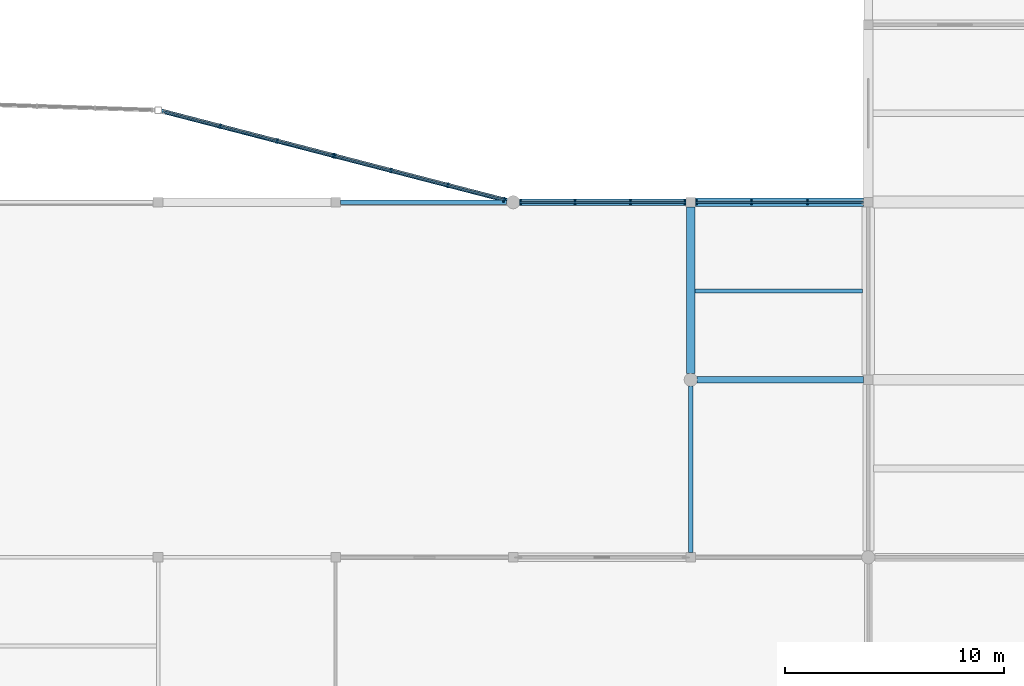
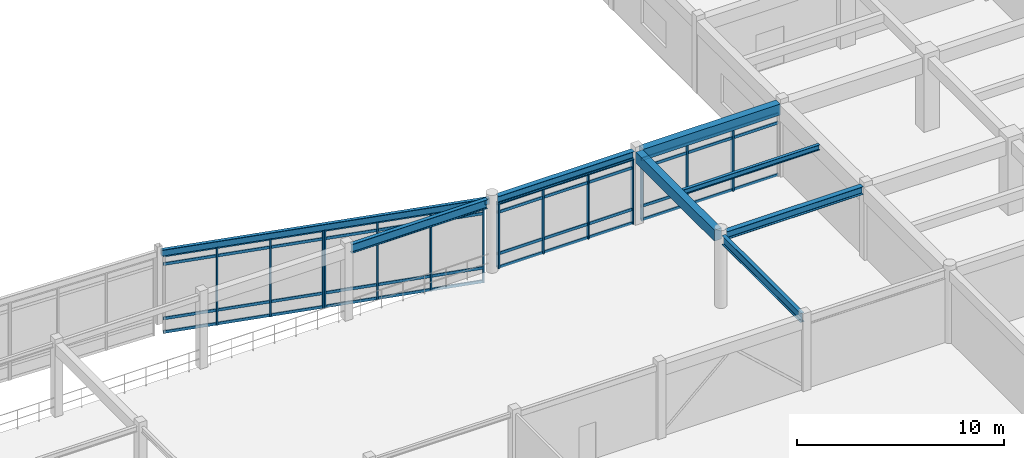
# One storey, part 26 of 93: 30 members, 8 beams, 4 elements without a shape of their own.
"""IFC4 building model written with IfcOpenShell, lengths in metres."""

from ifc_helpers import new_model, si_unit, direction, frame, origin, origin_2d, place, context, subcontext, project, spatial, rectangle, hollow_rectangle, i_section, extrude, material, layer, layer_set, material_profile, profile_set, type_object, element, aggregate, save


model = new_model("IFC4")

# Units and contexts
model_context = context("Model", 3, precision=1e-05, world=origin(), true_north=direction((0.0, 1.0)))
body_context = subcontext(model_context, "Body", "Model", "MODEL_VIEW")
ifc_project = project(units=[si_unit("LENGTHUNIT", "METRE"), si_unit("AREAUNIT", "SQUARE_METRE"), si_unit("VOLUMEUNIT", "CUBIC_METRE"), si_unit("PLANEANGLEUNIT", "RADIAN"), si_unit("MASSUNIT", "GRAM", prefix="KILO")], contexts=[model_context])

# Site, building, storey
site_placement = place(None, origin())
site = spatial("IfcSite", under=ifc_project, at=site_placement, CompositionType="ELEMENT")
building_placement = place(site_placement, origin())
building = spatial("IfcBuilding", under=site, at=building_placement, Name="Vaudrelin Polytechnic", CompositionType="ELEMENT")
storey_placement = place(building_placement, frame((0.0, 0.0, 5.10009765625)))
storey = spatial("IfcBuildingStorey", under=building, at=storey_placement, Name="L01", CompositionType="ELEMENT", Elevation=5.10009765625)

# Beams
ifc_material_1 = material(Name="Steel CSA G40.21 350W", Category="steel")
ifc_material_profile_1 = material_profile(ifc_material_1, i_section(OverallWidth=0.280029296875, OverallDepth=0.462890625, WebThickness=0.0107421875, FlangeThickness=0.017333984375, FilletRadius=0.01806640625, at=origin_2d()), Name="W460x113")
ifc_profile_set_1 = profile_set([ifc_material_profile_1], Name="Steel CSA G40.21 350W")
beam_type_1 = type_object("IfcBeamType", Name="BM-BM-W460H", PredefinedType="BEAM", material=ifc_profile_set_1)
for number, where, z_axis, x_axis, name in (
    (1, (113.696044921875, 48.60009765625, 4.078369140625), (1.0, 0.0, 0.0), (0.0, 1.0, 0.0), "L01 X-beam 15-7"),
    (2, (121.7958984375, 40.5, 4.078369140625), (1.0, 0.0, 0.0), (0.0, 1.0, 0.0), "L01 X-beam 16-6"),
):
    element("IfcBeam", number, at=place(storey_placement, frame(where, z_axis=z_axis, x_axis=x_axis)), inside=storey, type_object=beam_type_1, Name=name, PredefinedType="BEAM", context=body_context, shape_type="SweptSolid", body=[
        extrude(i_section(OverallWidth=0.280029296875, OverallDepth=0.462890625, WebThickness=0.0107421875, FlangeThickness=0.017333984375, FilletRadius=0.01806640625, at=origin_2d()), origin(), (0.0, 0.0, 1.0), 7.5830078125),
    ])
ifc_material_profile_2 = material_profile(ifc_material_1, i_section(OverallWidth=0.208984375, OverallDepth=0.532958984375, WebThickness=0.01025390625, FlangeThickness=0.015625, FilletRadius=0.01904296875, at=origin_2d()), Name="W530x92")
ifc_profile_set_2 = profile_set([ifc_material_profile_2], Name="Steel CSA G40.21 350W")
beam_type_2 = type_object("IfcBeamType", Name="BM-BM-W530", PredefinedType="BEAM", material=ifc_profile_set_2)
beam_1_placement = place(storey_placement, frame((121.5, 32.610107421875, 4.04345703125), z_axis=(0.0, 1.0, 0.0), x_axis=(-1.0, 0.0, 0.0)))
element("IfcBeam", 3, at=beam_1_placement, inside=storey, type_object=beam_type_2, Name="L01 Y-beam 16-5", PredefinedType="BEAM", context=body_context, shape_type="SweptSolid", body=[
    extrude(i_section(OverallWidth=0.208984375, OverallDepth=0.532958984375, WebThickness=0.01025390625, FlangeThickness=0.015625, FilletRadius=0.01904296875, at=origin_2d()), origin(), (0.0, 0.0, 1.0), 7.60498046875),
])
beam_2_placement = place(storey_placement, frame((105.52099609375, 48.60009765625, 4.04345703125), z_axis=(1.0, 0.0, 0.0), x_axis=(0.0, 1.0, 0.0)))
element("IfcBeam", 4, at=beam_2_placement, inside=storey, type_object=beam_type_2, Name="L01 X-beam 14-7", PredefinedType="BEAM", context=body_context, shape_type="SweptSolid", body=[
    extrude(i_section(OverallWidth=0.208984375, OverallDepth=0.532958984375, WebThickness=0.01025390625, FlangeThickness=0.015625, FilletRadius=0.01904296875, at=origin_2d()), origin(), (0.0, 0.0, 1.0), 7.5830078125),
])
ifc_material_profile_3 = material_profile(ifc_material_1, i_section(OverallWidth=0.1669921875, OverallDepth=0.31689453125, WebThickness=0.007568359375, FlangeThickness=0.01318359375, FilletRadius=0.013916015625, at=origin_2d()), Name="W310x52")
ifc_profile_set_3 = profile_set([ifc_material_profile_3], Name="Steel CSA G40.21 350W")
beam_type_3 = type_object("IfcBeamType", Name="BM-JS-W310", PredefinedType="JOIST", material=ifc_profile_set_3)
beam_3_placement = place(storey_placement, frame((121.696044921875, 44.550048828125, 4.1513671875), z_axis=(1.0, 0.0, 0.0), x_axis=(0.0, 1.0, 0.0)))
element("IfcBeam", 5, at=beam_3_placement, inside=storey, type_object=beam_type_3, Name="L01 floor joist 16-6", PredefinedType="JOIST", context=body_context, shape_type="SweptSolid", body=[
    extrude(i_section(OverallWidth=0.1669921875, OverallDepth=0.31689453125, WebThickness=0.007568359375, FlangeThickness=0.01318359375, FilletRadius=0.013916015625, at=origin_2d()), origin(), (0.0, 0.0, 1.0), 7.633056640625),
])
ifc_material_2 = material(Name="Steel CSA G40.21 350WT", Category="steel")
ifc_material_profile_4 = material_profile(ifc_material_2, hollow_rectangle(XDim=0.202880859375, YDim=0.35595703125, WallThickness=0.0126953125, InnerFilletRadius=0.0126953125, OuterFilletRadius=0.025390625, at=origin_2d()), Name="HSS356x203x12.7")
ifc_profile_set_4 = profile_set([ifc_material_profile_4], Name="Steel CSA G40.21 350WT")
beam_type_4 = type_object("IfcBeamType", Name="BM-SP-HSS35", PredefinedType="SPANDREL", material=ifc_profile_set_4)
beam_4_placement = place(storey_placement, frame((97.33544921875, 52.764892578125, 4.1318359375), z_axis=(0.96799462882, -0.250970911811, 0.0), x_axis=(0.250970911811, 0.96799462882, 0.0)))
element("IfcBeam", 6, at=beam_4_placement, inside=storey, type_object=beam_type_4, Name="Sculptural edge beam L01 CT_OR1_B3", PredefinedType="SPANDREL", context=body_context, shape_type="SweptSolid", body=[
    extrude(hollow_rectangle(XDim=0.202880859375, YDim=0.35595703125, WallThickness=0.0126953125, InnerFilletRadius=0.0126953125, OuterFilletRadius=0.025390625, at=origin_2d()), origin(), (0.0, 0.0, 1.0), 16.45556640625),
])
ifc_material_3 = material(Name="Concrete 40 MPa", Category="concrete")
ifc_material_profile_5 = material_profile(ifc_material_3, rectangle(XDim=0.39990234375, YDim=0.64990234375, at=origin_2d()), Name="RC400x650")
ifc_profile_set_5 = profile_set([ifc_material_profile_5], Name="Concrete 40 MPa")
beam_type_5 = type_object("IfcBeamType", Name="BM-SP-RC4065", PredefinedType="SPANDREL", material=ifc_profile_set_5)
beam_5_placement = place(storey_placement, frame((121.5, 40.784912109375, 3.98486328125), z_axis=(0.0, 1.0, 0.0), x_axis=(-1.0, 0.0, 0.0)))
element("IfcBeam", 7, at=beam_5_placement, inside=storey, type_object=beam_type_5, Name="L01 Y-beam 16-6", PredefinedType="SPANDREL", context=body_context, shape_type="SweptSolid", body=[
    extrude(rectangle(XDim=0.39990234375, YDim=0.64990234375, at=origin_2d()), origin(), (0.0, 0.0, 1.0), 7.60498046875),
])
beam_6_placement = place(storey_placement, frame((121.720947265625, 48.60009765625, 3.98486328125), z_axis=(1.0, 0.0, 0.0), x_axis=(0.0, 1.0, 0.0)))
element("IfcBeam", 8, at=beam_6_placement, inside=storey, type_object=beam_type_5, Name="L01 X-beam 16-7", PredefinedType="SPANDREL", context=body_context, shape_type="SweptSolid", body=[
    extrude(rectangle(XDim=0.39990234375, YDim=0.64990234375, at=origin_2d()), origin(), (0.0, 0.0, 1.0), 7.657958984375),
])

# Curtain wall, members
ifc_material_4 = material(Name="Thermally broken anodised aluminium AA 6063-T6 and low-e triple glazing", Category="aluminium")
ifc_layer = layer(ifc_material_4, 0.199951171875)
ifc_layer_set = layer_set([ifc_layer], Name="Thermally broken anodised aluminium AA 6063-T6 and low-e triple glazing")
curtain_wall_type = type_object("IfcCurtainWallType", Name="CW-CW-WG", PredefinedType="USERDEFINED", material=ifc_layer_set)
curtain_wall_1_placement = place(storey_placement, origin())
curtain_wall_1 = element("IfcCurtainWall", 9, at=curtain_wall_1_placement, inside=storey, type_object=curtain_wall_type, Name="Curtain wall L01 CT_S_10", ObjectType="CURTAIN WALL", PredefinedType="USERDEFINED")
ifc_material_5 = material(Name="Anodised aluminium AA 6063-T6", Category="aluminium")
ifc_material_profile_6 = material_profile(ifc_material_5, rectangle(XDim=0.074951171875, YDim=0.219970703125, at=origin_2d()), Name="CWM-75x220")
ifc_profile_set_6 = profile_set([ifc_material_profile_6], Name="Anodised aluminium AA 6063-T6")
member_type_1 = type_object("IfcMemberType", Name="MEM-CWM-220", PredefinedType="MULLION", material=ifc_profile_set_6)
member_1_placement = place(storey_placement, frame((113.738037109375, 48.60009765625, 0.0), z_axis=(0.0, 0.0, 1.0), x_axis=(1.0, 0.0, 0.0)))
member_1 = element("IfcMember", 10, at=member_1_placement, type_object=member_type_1, Name="CT_S_10 mullion 1", PredefinedType="MULLION", context=body_context, shape_type="SweptSolid", body=[
    extrude(rectangle(XDim=0.074951171875, YDim=0.219970703125, at=origin_2d()), origin(), (0.0, 0.0, 1.0), 3.848876953125),
])
member_2_placement = place(storey_placement, frame((116.224365234375, 48.60009765625, 0.0), z_axis=(0.0, 0.0, 1.0), x_axis=(1.0, 0.0, 0.0)))
member_2 = element("IfcMember", 11, at=member_2_placement, type_object=member_type_1, Name="CT_S_10 mullion 2", PredefinedType="MULLION", context=body_context, shape_type="SweptSolid", body=[
    extrude(rectangle(XDim=0.074951171875, YDim=0.219970703125, at=origin_2d()), origin(), (0.0, 0.0, 1.0), 3.848876953125),
])
member_3_placement = place(storey_placement, frame((118.750732421875, 48.60009765625, 0.0), z_axis=(0.0, 0.0, 1.0), x_axis=(1.0, 0.0, 0.0)))
member_3 = element("IfcMember", 12, at=member_3_placement, type_object=member_type_1, Name="CT_S_10 mullion 3", PredefinedType="MULLION", context=body_context, shape_type="SweptSolid", body=[
    extrude(rectangle(XDim=0.074951171875, YDim=0.219970703125, at=origin_2d()), origin(), (0.0, 0.0, 1.0), 3.848876953125),
])
member_4_placement = place(storey_placement, frame((121.237060546875, 48.60009765625, 0.0), z_axis=(0.0, 0.0, 1.0), x_axis=(1.0, 0.0, 0.0)))
member_4 = element("IfcMember", 13, at=member_4_placement, type_object=member_type_1, Name="CT_S_10 mullion 4", PredefinedType="MULLION", context=body_context, shape_type="SweptSolid", body=[
    extrude(rectangle(XDim=0.074951171875, YDim=0.219970703125, at=origin_2d()), origin(), (0.0, 0.0, 1.0), 3.848876953125),
])

curtain_wall_2_placement = place(storey_placement, origin())
curtain_wall_2 = element("IfcCurtainWall", 14, at=curtain_wall_2_placement, inside=storey, type_object=curtain_wall_type, Name="Curtain wall L01 CT_S_11", ObjectType="CURTAIN WALL", PredefinedType="USERDEFINED")
member_5_placement = place(storey_placement, frame((121.762939453125, 48.60009765625, 0.0), z_axis=(0.0, 0.0, 1.0), x_axis=(1.0, 0.0, 0.0)))
member_5 = element("IfcMember", 15, at=member_5_placement, type_object=member_type_1, Name="CT_S_11 mullion 1", PredefinedType="MULLION", context=body_context, shape_type="SweptSolid", body=[
    extrude(rectangle(XDim=0.074951171875, YDim=0.219970703125, at=origin_2d()), origin(), (0.0, 0.0, 1.0), 3.661865234375),
])
member_6_placement = place(storey_placement, frame((124.2744140625, 48.60009765625, 0.0), z_axis=(0.0, 0.0, 1.0), x_axis=(1.0, 0.0, 0.0)))
member_6 = element("IfcMember", 16, at=member_6_placement, type_object=member_type_1, Name="CT_S_11 mullion 2", PredefinedType="MULLION", context=body_context, shape_type="SweptSolid", body=[
    extrude(rectangle(XDim=0.074951171875, YDim=0.219970703125, at=origin_2d()), origin(), (0.0, 0.0, 1.0), 3.661865234375),
])
member_7_placement = place(storey_placement, frame((126.82568359375, 48.60009765625, 0.0), z_axis=(0.0, 0.0, 1.0), x_axis=(1.0, 0.0, 0.0)))
member_7 = element("IfcMember", 17, at=member_7_placement, type_object=member_type_1, Name="CT_S_11 mullion 3", PredefinedType="MULLION", context=body_context, shape_type="SweptSolid", body=[
    extrude(rectangle(XDim=0.074951171875, YDim=0.219970703125, at=origin_2d()), origin(), (0.0, 0.0, 1.0), 3.661865234375),
])

curtain_wall_3_placement = place(storey_placement, origin())
curtain_wall_3 = element("IfcCurtainWall", 18, at=curtain_wall_3_placement, inside=storey, type_object=curtain_wall_type, Name="Curtain wall L01 CT_OR1_3_0", ObjectType="CURTAIN WALL", PredefinedType="USERDEFINED")
member_8_placement = place(storey_placement, frame((100.031982421875, 52.06591796875, -0.630126953125), z_axis=(0.0, 0.0, 1.0), x_axis=(0.967996674598, -0.250963021115, 0.0)))
member_8 = element("IfcMember", 19, at=member_8_placement, type_object=member_type_1, Name="CT_OR1_3_0 mullion 2", PredefinedType="MULLION", context=body_context, shape_type="SweptSolid", body=[
    extrude(rectangle(XDim=0.074951171875, YDim=0.219970703125, at=origin_2d()), origin(), (0.0, 0.0, 1.0), 4.610107421875),
])
member_9_placement = place(storey_placement, frame((102.629150390625, 51.392333984375, -0.630126953125), z_axis=(0.0, 0.0, 1.0), x_axis=(0.967996674598, -0.250963021115, 0.0)))
member_9 = element("IfcMember", 20, at=member_9_placement, type_object=member_type_1, Name="CT_OR1_3_0 mullion 3", PredefinedType="MULLION", context=body_context, shape_type="SweptSolid", body=[
    extrude(rectangle(XDim=0.074951171875, YDim=0.219970703125, at=origin_2d()), origin(), (0.0, 0.0, 1.0), 4.610107421875),
])
member_10_placement = place(storey_placement, frame((105.1875, 50.72900390625, -0.630126953125), z_axis=(0.0, 0.0, 1.0), x_axis=(0.967996674598, -0.250963021115, 0.0)))
member_10 = element("IfcMember", 21, at=member_10_placement, type_object=member_type_1, Name="CT_OR1_3_0 mullion 4", PredefinedType="MULLION", context=body_context, shape_type="SweptSolid", body=[
    extrude(rectangle(XDim=0.074951171875, YDim=0.219970703125, at=origin_2d()), origin(), (0.0, 0.0, 1.0), 4.610107421875),
])

curtain_wall_4_placement = place(storey_placement, origin())
curtain_wall_4 = element("IfcCurtainWall", 22, at=curtain_wall_4_placement, inside=storey, type_object=curtain_wall_type, Name="Curtain wall L01 CT_OR1_3_1", ObjectType="CURTAIN WALL", PredefinedType="USERDEFINED")
member_11_placement = place(storey_placement, frame((105.264892578125, 50.708984375, -0.630126953125), z_axis=(0.0, 0.0, 1.0), x_axis=(0.967997457073, -0.250960002989, 0.0)))
member_11 = element("IfcMember", 23, at=member_11_placement, type_object=member_type_1, Name="CT_OR1_3_1 mullion 1", PredefinedType="MULLION", context=body_context, shape_type="SweptSolid", body=[
    extrude(rectangle(XDim=0.074951171875, YDim=0.219970703125, at=origin_2d()), origin(), (0.0, 0.0, 1.0), 4.610107421875),
])
member_12_placement = place(storey_placement, frame((107.823486328125, 50.0458984375, -0.630126953125), z_axis=(0.0, 0.0, 1.0), x_axis=(0.967997457073, -0.250960002989, 0.0)))
member_12 = element("IfcMember", 24, at=member_12_placement, type_object=member_type_1, Name="CT_OR1_3_1 mullion 2", PredefinedType="MULLION", context=body_context, shape_type="SweptSolid", body=[
    extrude(rectangle(XDim=0.074951171875, YDim=0.219970703125, at=origin_2d()), origin(), (0.0, 0.0, 1.0), 4.610107421875),
])
member_13_placement = place(storey_placement, frame((110.42041015625, 49.372314453125, -0.630126953125), z_axis=(0.0, 0.0, 1.0), x_axis=(0.967997457073, -0.250960002989, 0.0)))
member_13 = element("IfcMember", 25, at=member_13_placement, type_object=member_type_1, Name="CT_OR1_3_1 mullion 3", PredefinedType="MULLION", context=body_context, shape_type="SweptSolid", body=[
    extrude(rectangle(XDim=0.074951171875, YDim=0.219970703125, at=origin_2d()), origin(), (0.0, 0.0, 1.0), 4.610107421875),
])
member_14_placement = place(storey_placement, frame((112.97900390625, 48.708984375, -0.630126953125), z_axis=(0.0, 0.0, 1.0), x_axis=(0.967997457073, -0.250960002989, 0.0)))
member_14 = element("IfcMember", 26, at=member_14_placement, type_object=member_type_1, Name="CT_OR1_3_1 mullion 4", PredefinedType="MULLION", context=body_context, shape_type="SweptSolid", body=[
    extrude(rectangle(XDim=0.074951171875, YDim=0.219970703125, at=origin_2d()), origin(), (0.0, 0.0, 1.0), 4.610107421875),
])

# Member
ifc_material_profile_7 = material_profile(ifc_material_5, rectangle(XDim=0.074951171875, YDim=0.1650390625, at=origin_2d()), Name="CWT-75x165")
ifc_profile_set_7 = profile_set([ifc_material_profile_7], Name="Anodised aluminium AA 6063-T6")
member_type_2 = type_object("IfcMemberType", Name="MEM-CWT-165", PredefinedType="USERDEFINED", material=ifc_profile_set_7)
member_15_placement = place(storey_placement, frame((113.697998046875, 48.60009765625, 0.0498046875), z_axis=(1.0, 0.0, 0.0), x_axis=(0.0, 1.0, 0.0)))
member_15 = element("IfcMember", 27, at=member_15_placement, type_object=member_type_2, Name="CT_S_10 transom 1", ObjectType="TRANSOM", PredefinedType="USERDEFINED", context=body_context, shape_type="SweptSolid", body=[
    extrude(rectangle(XDim=0.074951171875, YDim=0.1650390625, at=origin_2d()), origin(), (0.0, 0.0, 1.0), 7.5791015625),
])

member_16_placement = place(storey_placement, frame((113.697998046875, 48.60009765625, 0.849853515625), z_axis=(1.0, 0.0, 0.0), x_axis=(0.0, 1.0, 0.0)))
member_16 = element("IfcMember", 28, at=member_16_placement, type_object=member_type_2, Name="CT_S_10 transom 2", ObjectType="TRANSOM", PredefinedType="USERDEFINED", context=body_context, shape_type="SweptSolid", body=[
    extrude(rectangle(XDim=0.074951171875, YDim=0.1650390625, at=origin_2d()), origin(), (0.0, 0.0, 1.0), 7.5791015625),
])

member_17_placement = place(storey_placement, frame((113.697998046875, 48.60009765625, 3.298828125), z_axis=(1.0, 0.0, 0.0), x_axis=(0.0, 1.0, 0.0)))
member_17 = element("IfcMember", 29, at=member_17_placement, type_object=member_type_2, Name="CT_S_10 transom 3", ObjectType="TRANSOM", PredefinedType="USERDEFINED", context=body_context, shape_type="SweptSolid", body=[
    extrude(rectangle(XDim=0.074951171875, YDim=0.1650390625, at=origin_2d()), origin(), (0.0, 0.0, 1.0), 7.5791015625),
])

member_18_placement = place(storey_placement, frame((113.697998046875, 48.60009765625, 3.798828125), z_axis=(1.0, 0.0, 0.0), x_axis=(0.0, 1.0, 0.0)))
member_18 = element("IfcMember", 30, at=member_18_placement, type_object=member_type_2, Name="CT_S_10 transom 4", ObjectType="TRANSOM", PredefinedType="USERDEFINED", context=body_context, shape_type="SweptSolid", body=[
    extrude(rectangle(XDim=0.074951171875, YDim=0.1650390625, at=origin_2d()), origin(), (0.0, 0.0, 1.0), 7.5791015625),
])

aggregate(curtain_wall_1, [member_1, member_2, member_3, member_4, member_15, member_16, member_17, member_18])

member_19_placement = place(storey_placement, frame((121.722900390625, 48.60009765625, 0.0498046875), z_axis=(1.0, 0.0, 0.0), x_axis=(0.0, 1.0, 0.0)))
member_19 = element("IfcMember", 31, at=member_19_placement, type_object=member_type_2, Name="CT_S_11 transom 1", ObjectType="TRANSOM", PredefinedType="USERDEFINED", context=body_context, shape_type="SweptSolid", body=[
    extrude(rectangle(XDim=0.074951171875, YDim=0.1650390625, at=origin_2d()), origin(), (0.0, 0.0, 1.0), 7.654052734375),
])

member_20_placement = place(storey_placement, frame((121.722900390625, 48.60009765625, 0.849853515625), z_axis=(1.0, 0.0, 0.0), x_axis=(0.0, 1.0, 0.0)))
member_20 = element("IfcMember", 32, at=member_20_placement, type_object=member_type_2, Name="CT_S_11 transom 2", ObjectType="TRANSOM", PredefinedType="USERDEFINED", context=body_context, shape_type="SweptSolid", body=[
    extrude(rectangle(XDim=0.074951171875, YDim=0.1650390625, at=origin_2d()), origin(), (0.0, 0.0, 1.0), 7.654052734375),
])

member_21_placement = place(storey_placement, frame((121.722900390625, 48.60009765625, 3.11181640625), z_axis=(1.0, 0.0, 0.0), x_axis=(0.0, 1.0, 0.0)))
member_21 = element("IfcMember", 33, at=member_21_placement, type_object=member_type_2, Name="CT_S_11 transom 3", ObjectType="TRANSOM", PredefinedType="USERDEFINED", context=body_context, shape_type="SweptSolid", body=[
    extrude(rectangle(XDim=0.074951171875, YDim=0.1650390625, at=origin_2d()), origin(), (0.0, 0.0, 1.0), 7.654052734375),
])

member_22_placement = place(storey_placement, frame((121.722900390625, 48.60009765625, 3.61181640625), z_axis=(1.0, 0.0, 0.0), x_axis=(0.0, 1.0, 0.0)))
member_22 = element("IfcMember", 34, at=member_22_placement, type_object=member_type_2, Name="CT_S_11 transom 4", ObjectType="TRANSOM", PredefinedType="USERDEFINED", context=body_context, shape_type="SweptSolid", body=[
    extrude(rectangle(XDim=0.074951171875, YDim=0.1650390625, at=origin_2d()), origin(), (0.0, 0.0, 1.0), 7.654052734375),
])

aggregate(curtain_wall_2, [member_5, member_6, member_7, member_19, member_20, member_21, member_22])

member_23_placement = place(storey_placement, frame((97.434814453125, 52.739013671875, -0.580078125), z_axis=(0.967996898166, -0.250962158784, 0.0), x_axis=(0.250962158784, 0.967996898166, 0.0)))
member_23 = element("IfcMember", 35, at=member_23_placement, type_object=member_type_2, Name="CT_OR1_3_0 transom 1", ObjectType="TRANSOM", PredefinedType="USERDEFINED", context=body_context, shape_type="SweptSolid", body=[
    extrude(rectangle(XDim=0.074951171875, YDim=0.1650390625, at=origin_2d()), origin(), (0.0, 0.0, 1.0), 8.049072265625),
])

member_24_placement = place(storey_placement, frame((97.434814453125, 52.739013671875, 0.219970703125), z_axis=(0.967996898166, -0.250962158784, 0.0), x_axis=(0.250962158784, 0.967996898166, 0.0)))
member_24 = element("IfcMember", 36, at=member_24_placement, type_object=member_type_2, Name="CT_OR1_3_0 transom 2", ObjectType="TRANSOM", PredefinedType="USERDEFINED", context=body_context, shape_type="SweptSolid", body=[
    extrude(rectangle(XDim=0.074951171875, YDim=0.1650390625, at=origin_2d()), origin(), (0.0, 0.0, 1.0), 8.049072265625),
])

member_25_placement = place(storey_placement, frame((97.434814453125, 52.739013671875, 3.429931640625), z_axis=(0.967996898166, -0.250962158784, 0.0), x_axis=(0.250962158784, 0.967996898166, 0.0)))
member_25 = element("IfcMember", 37, at=member_25_placement, type_object=member_type_2, Name="CT_OR1_3_0 transom 3", ObjectType="TRANSOM", PredefinedType="USERDEFINED", context=body_context, shape_type="SweptSolid", body=[
    extrude(rectangle(XDim=0.074951171875, YDim=0.1650390625, at=origin_2d()), origin(), (0.0, 0.0, 1.0), 8.049072265625),
])

member_26_placement = place(storey_placement, frame((97.434814453125, 52.739013671875, 3.929931640625), z_axis=(0.967996898166, -0.250962158784, 0.0), x_axis=(0.250962158784, 0.967996898166, 0.0)))
member_26 = element("IfcMember", 38, at=member_26_placement, type_object=member_type_2, Name="CT_OR1_3_0 transom 4", ObjectType="TRANSOM", PredefinedType="USERDEFINED", context=body_context, shape_type="SweptSolid", body=[
    extrude(rectangle(XDim=0.074951171875, YDim=0.1650390625, at=origin_2d()), origin(), (0.0, 0.0, 1.0), 8.049072265625),
])

aggregate(curtain_wall_3, [member_8, member_9, member_10, member_23, member_24, member_25, member_26])

member_27_placement = place(storey_placement, frame((105.226318359375, 50.718994140625, -0.580078125), z_axis=(0.968002356235, -0.25094110529, 0.0), x_axis=(0.25094110529, 0.968002356235, 0.0)))
member_27 = element("IfcMember", 39, at=member_27_placement, type_object=member_type_2, Name="CT_OR1_3_1 transom 1", ObjectType="TRANSOM", PredefinedType="USERDEFINED", context=body_context, shape_type="SweptSolid", body=[
    extrude(rectangle(XDim=0.074951171875, YDim=0.1650390625, at=origin_2d()), origin(), (0.0, 0.0, 1.0), 8.048828125),
])

member_28_placement = place(storey_placement, frame((105.226318359375, 50.718994140625, 0.219970703125), z_axis=(0.968002356235, -0.25094110529, 0.0), x_axis=(0.25094110529, 0.968002356235, 0.0)))
member_28 = element("IfcMember", 40, at=member_28_placement, type_object=member_type_2, Name="CT_OR1_3_1 transom 2", ObjectType="TRANSOM", PredefinedType="USERDEFINED", context=body_context, shape_type="SweptSolid", body=[
    extrude(rectangle(XDim=0.074951171875, YDim=0.1650390625, at=origin_2d()), origin(), (0.0, 0.0, 1.0), 8.048828125),
])

member_29_placement = place(storey_placement, frame((105.226318359375, 50.718994140625, 3.429931640625), z_axis=(0.968002356235, -0.25094110529, 0.0), x_axis=(0.25094110529, 0.968002356235, 0.0)))
member_29 = element("IfcMember", 41, at=member_29_placement, type_object=member_type_2, Name="CT_OR1_3_1 transom 3", ObjectType="TRANSOM", PredefinedType="USERDEFINED", context=body_context, shape_type="SweptSolid", body=[
    extrude(rectangle(XDim=0.074951171875, YDim=0.1650390625, at=origin_2d()), origin(), (0.0, 0.0, 1.0), 8.048828125),
])

member_30_placement = place(storey_placement, frame((105.226318359375, 50.718994140625, 3.929931640625), z_axis=(0.968002356235, -0.25094110529, 0.0), x_axis=(0.25094110529, 0.968002356235, 0.0)))
member_30 = element("IfcMember", 42, at=member_30_placement, type_object=member_type_2, Name="CT_OR1_3_1 transom 4", ObjectType="TRANSOM", PredefinedType="USERDEFINED", context=body_context, shape_type="SweptSolid", body=[
    extrude(rectangle(XDim=0.074951171875, YDim=0.1650390625, at=origin_2d()), origin(), (0.0, 0.0, 1.0), 8.048828125),
])

aggregate(curtain_wall_4, [member_11, member_12, member_13, member_14, member_27, member_28, member_29, member_30])

save(model, "model.ifc")
